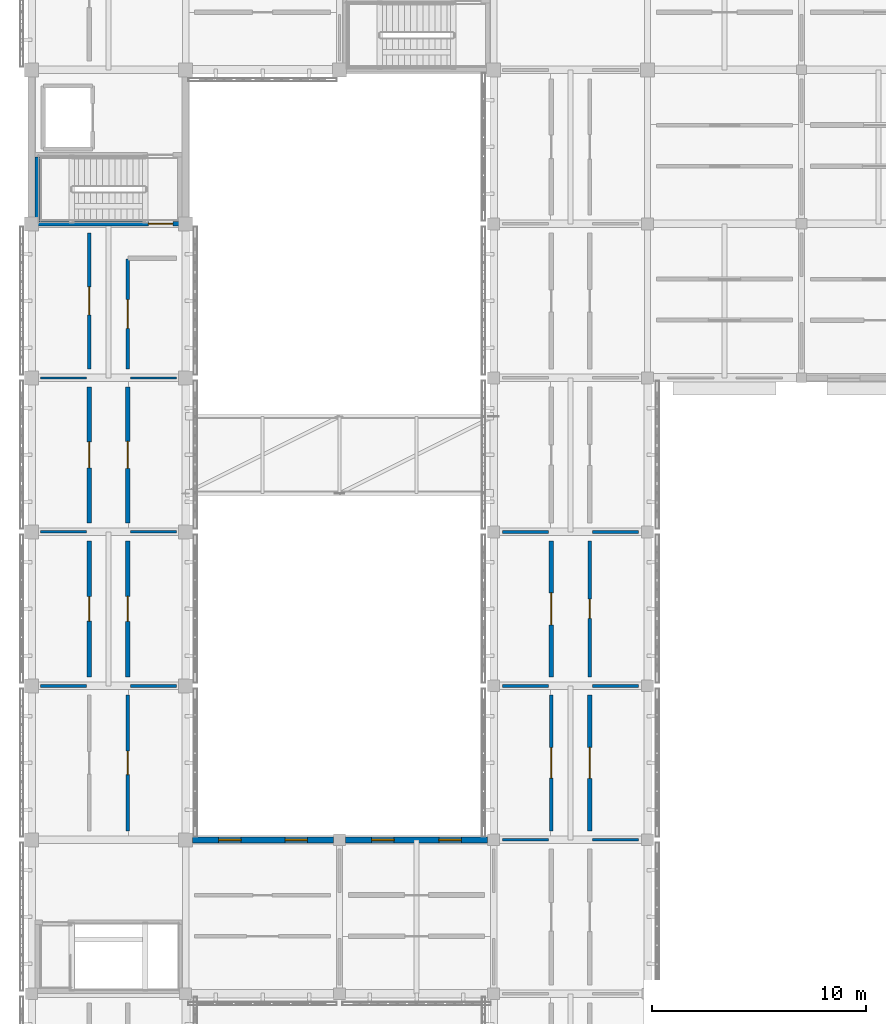
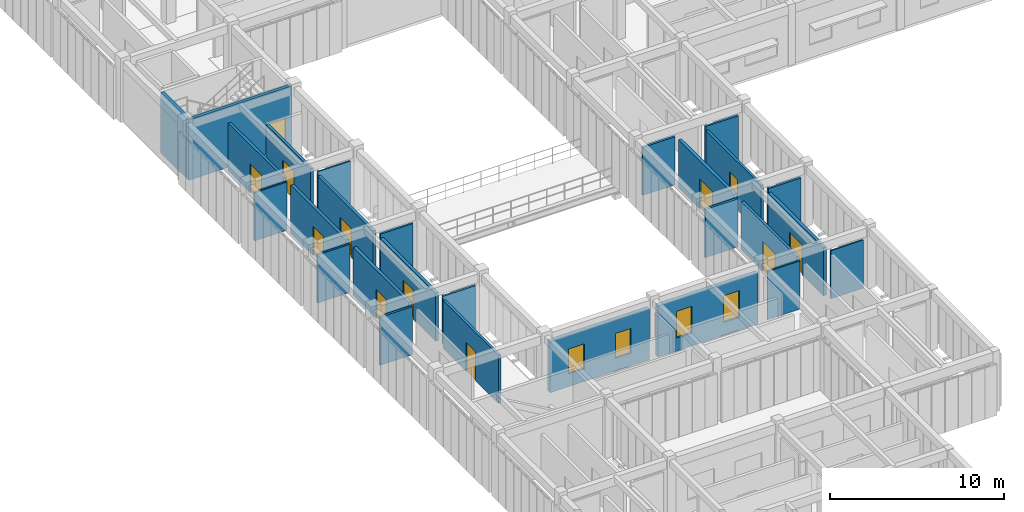
# One storey, part 71 of 91: 27 walls, 12 doors, 4 windows, 16 openings.
"""IFC4 building model written with IfcOpenShell, lengths in metres."""

from ifc_helpers import new_model, si_unit, direction, frame, frame_2d, origin, place, context, subcontext, project, spatial, rectangle, extrude, material, layer, layer_set, type_object, element, fill, save


model = new_model("IFC4")

# Units and contexts
model_context = context("Model", 3, precision=1e-05, world=origin(), true_north=direction((0.0, 1.0)))
body_context = subcontext(model_context, "Body", "Model", "MODEL_VIEW")
ifc_project = project(units=[si_unit("LENGTHUNIT", "METRE"), si_unit("AREAUNIT", "SQUARE_METRE"), si_unit("VOLUMEUNIT", "CUBIC_METRE"), si_unit("PLANEANGLEUNIT", "RADIAN"), si_unit("MASSUNIT", "GRAM", prefix="KILO")], contexts=[model_context])

# Site, building, storey
site_placement = place(None, origin())
site = spatial("IfcSite", under=ifc_project, at=site_placement, CompositionType="ELEMENT")
building_placement = place(site_placement, origin())
building = spatial("IfcBuilding", under=site, at=building_placement, Name="Aldebral Square Health Centre", CompositionType="ELEMENT")
storey_placement = place(building_placement, frame((0.0, 0.0, 9.0)))
storey = spatial("IfcBuildingStorey", under=building, at=storey_placement, Name="L02", CompositionType="ELEMENT", Elevation=9.0)

# Wall, openings, windows
ifc_material_1 = material(Name="Ochre mineral-rendered concrete C35/45 court wall", Category="concrete")
ifc_layer_1 = layer(ifc_material_1, 0.280029296875, Name="Ochre mineral-rendered concrete C35/45 court wall", Category="concrete")
ifc_layer_set_1 = layer_set([ifc_layer_1], Name="Ochre mineral-rendered concrete C35/45 court wall")
wall_type_1 = type_object("IfcWallType", Name="EW-OCH-280", PredefinedType="STANDARD", material=ifc_layer_set_1)
wall_1_placement = place(storey_placement, frame((14.125, 64.800048828125, 0.0), z_axis=(0.0, 0.0, 1.0), x_axis=(-1.0, 0.0, 0.0)))
wall_1 = element("IfcWall", 1, at=wall_1_placement, inside=storey, type_object=wall_type_1, Name="L02 V4 exterior wall L02-V4-01-08-N", PredefinedType="STANDARD", context=body_context, shape_type="SweptSolid", body=[
    extrude(rectangle(XDim=6.60009765625, YDim=0.280029296875, at=frame_2d((3.300048828125, 0.0))), origin(), (0.0, 0.0, 1.0), 3.590087890625),
])
opening_1_placement = place(wall_1_placement, frame((1.22509765625, 0.0, 0.89990234375)))
opening_1 = element("IfcOpeningElement", 2, at=opening_1_placement, cuts=wall_1, Name="Opening W38", PredefinedType="OPENING", context=body_context, shape_type="SweptSolid", body=[
    extrude(rectangle(XDim=1.050048828125, YDim=1.75, at=frame_2d((0.52490234375, 0.875))), frame((0.0, 0.14990234375, 0.0), z_axis=(0.0, -1.0, 0.0), x_axis=(1.0, 0.0, 0.0)), (0.0, 0.0, 1.0), 0.300048828125),
])
opening_2_placement = place(wall_1_placement, frame((4.324951171875, 0.0, 0.89990234375)))
opening_2 = element("IfcOpeningElement", 3, at=opening_2_placement, cuts=wall_1, Name="Opening W38", PredefinedType="OPENING", context=body_context, shape_type="SweptSolid", body=[
    extrude(rectangle(XDim=1.050048828125, YDim=1.75, at=frame_2d((0.52490234375, 0.875))), frame((0.0, 0.14990234375, 0.0), z_axis=(0.0, -1.0, 0.0), x_axis=(1.0, 0.0, 0.0)), (0.0, 0.0, 1.0), 0.300048828125),
])
ifc_material_2 = material(Name="Thermally broken aluminium and low-E glass", Category="aluminium")
window_type_1 = type_object("IfcWindowType", Name="WIN-W38", PartitioningType="SINGLE_PANEL", PredefinedType="WINDOW", material=ifc_material_2)
window_1_placement = place(opening_1_placement, origin())
window_1 = element("IfcWindow", 4, at=window_1_placement, inside=storey, type_object=window_type_1, Name="L02 clinical window L02-V4-01-08-N.1", OverallHeight=1.75, OverallWidth=1.050048828125, PartitioningType="SINGLE_PANEL", PredefinedType="WINDOW", context=body_context, shape_type="SweptSolid", body=[
    extrude(rectangle(XDim=1.050048828125, YDim=1.75, at=frame_2d((0.52490234375, 0.875))), frame((0.0, 0.030029296875, 0.0), z_axis=(0.0, -1.0, 0.0), x_axis=(1.0, 0.0, 0.0)), (0.0, 0.0, 1.0), 0.06005859375),
])
fill(opening_1, window_1)
window_2_placement = place(opening_2_placement, origin())
window_2 = element("IfcWindow", 5, at=window_2_placement, inside=storey, type_object=window_type_1, Name="L02 clinical window L02-V4-01-08-N.2", OverallHeight=1.75, OverallWidth=1.050048828125, PartitioningType="SINGLE_PANEL", PredefinedType="WINDOW", context=body_context, shape_type="SweptSolid", body=[
    extrude(rectangle(XDim=1.050048828125, YDim=1.75, at=frame_2d((0.52490234375, 0.875))), frame((0.0, 0.030029296875, 0.0), z_axis=(0.0, -1.0, 0.0), x_axis=(1.0, 0.0, 0.0)), (0.0, 0.0, 1.0), 0.06005859375),
])
fill(opening_2, window_2)

wall_2_placement = place(storey_placement, frame((21.324951171875, 64.800048828125, 0.0), z_axis=(0.0, 0.0, 1.0), x_axis=(-1.0, 0.0, 0.0)))
wall_2 = element("IfcWall", 6, at=wall_2_placement, inside=storey, type_object=wall_type_1, Name="L02 V4 exterior wall L02-V4-02-08-N", PredefinedType="STANDARD", context=body_context, shape_type="SweptSolid", body=[
    extrude(rectangle(XDim=6.64990234375, YDim=0.280029296875, at=frame_2d((3.324951171875, 0.0))), origin(), (0.0, 0.0, 1.0), 3.590087890625),
])
opening_3_placement = place(wall_2_placement, frame((1.22509765625, 0.0, 0.89990234375)))
opening_3 = element("IfcOpeningElement", 7, at=opening_3_placement, cuts=wall_2, Name="Opening W47", PredefinedType="OPENING", context=body_context, shape_type="SweptSolid", body=[
    extrude(rectangle(XDim=1.050048828125, YDim=1.8798828125, at=frame_2d((0.52490234375, 0.93994140625))), frame((0.0, 0.14990234375, 0.0), z_axis=(0.0, -1.0, 0.0), x_axis=(1.0, 0.0, 0.0)), (0.0, 0.0, 1.0), 0.300048828125),
])
opening_4_placement = place(wall_2_placement, frame((4.375, 0.0, 0.89990234375)))
opening_4 = element("IfcOpeningElement", 8, at=opening_4_placement, cuts=wall_2, Name="Opening W47", PredefinedType="OPENING", context=body_context, shape_type="SweptSolid", body=[
    extrude(rectangle(XDim=1.050048828125, YDim=1.8798828125, at=frame_2d((0.52490234375, 0.93994140625))), frame((0.0, 0.14990234375, 0.0), z_axis=(0.0, -1.0, 0.0), x_axis=(1.0, 0.0, 0.0)), (0.0, 0.0, 1.0), 0.300048828125),
])
window_type_2 = type_object("IfcWindowType", Name="WIN-W47", PartitioningType="SINGLE_PANEL", PredefinedType="WINDOW", material=ifc_material_2)
window_3_placement = place(opening_3_placement, origin())
window_3 = element("IfcWindow", 9, at=window_3_placement, inside=storey, type_object=window_type_2, Name="L02 clinical window L02-V4-02-08-N.1", OverallHeight=1.8798828125, OverallWidth=1.050048828125, PartitioningType="SINGLE_PANEL", PredefinedType="WINDOW", context=body_context, shape_type="SweptSolid", body=[
    extrude(rectangle(XDim=1.050048828125, YDim=1.8798828125, at=frame_2d((0.52490234375, 0.93994140625))), frame((0.0, 0.030029296875, 0.0), z_axis=(0.0, -1.0, 0.0), x_axis=(1.0, 0.0, 0.0)), (0.0, 0.0, 1.0), 0.06005859375),
])
fill(opening_3, window_3)
window_4_placement = place(opening_4_placement, origin())
window_4 = element("IfcWindow", 10, at=window_4_placement, inside=storey, type_object=window_type_2, Name="L02 clinical window L02-V4-02-08-N.2", OverallHeight=1.8798828125, OverallWidth=1.050048828125, PartitioningType="SINGLE_PANEL", PredefinedType="WINDOW", context=body_context, shape_type="SweptSolid", body=[
    extrude(rectangle(XDim=1.050048828125, YDim=1.8798828125, at=frame_2d((0.52490234375, 0.93994140625))), frame((0.0, 0.030029296875, 0.0), z_axis=(0.0, -1.0, 0.0), x_axis=(1.0, 0.0, 0.0)), (0.0, 0.0, 1.0), 0.06005859375),
])
fill(opening_4, window_4)

# Wall, opening, door
ifc_material_3 = material(Name="Concrete C35/45 compartment wall", Category="concrete")
ifc_layer_2 = layer(ifc_material_3, 0.199951171875, Name="Concrete C35/45 compartment wall", Category="concrete")
ifc_layer_set_2 = layer_set([ifc_layer_2], Name="Concrete C35/45 compartment wall")
wall_type_2 = type_object("IfcWallType", Name="IW-CMP-200", PredefinedType="SOLIDWALL", material=ifc_layer_set_2)
wall_3_placement = place(storey_placement, frame((2.699951171875, 79.6201171875, 0.0), z_axis=(0.0, 0.0, 1.0), x_axis=(0.0, 1.0, 0.0)))
wall_3 = element("IfcWall", 11, at=wall_3_placement, inside=storey, type_object=wall_type_2, Name="L02 Paediatric Examination Room 1.12W corridor wall", PredefinedType="SOLIDWALL", context=body_context, shape_type="SweptSolid", body=[
    extrude(rectangle(XDim=6.35986328125, YDim=0.199951171875, at=frame_2d((3.179931640625, 0.0))), origin(), (0.0, 0.0, 1.0), 3.3798828125),
])
opening_5_placement = place(wall_3_placement, frame((2.570068359375, 0.0, 0.0)))
opening_5 = element("IfcOpeningElement", 12, at=opening_5_placement, cuts=wall_3, Name="Opening D-0437", PredefinedType="OPENING", context=body_context, shape_type="SweptSolid", body=[
    extrude(rectangle(XDim=1.219970703125, YDim=2.0400390625, at=frame_2d((0.60986328125, 1.02001953125))), frame((0.0, 0.10986328125, 0.0), z_axis=(0.0, -1.0, 0.0), x_axis=(1.0, 0.0, 0.0)), (0.0, 0.0, 1.0), 0.219970703125),
])
ifc_material_4 = material(Name="Clinical suite fire door")
door_type_1 = type_object("IfcDoorType", Name="ID-EXD-08", OperationType="NOTDEFINED", PredefinedType="DOOR", material=ifc_material_4)
door_1_placement = place(opening_5_placement, origin())
door_1 = element("IfcDoor", 13, at=door_1_placement, inside=storey, type_object=door_type_1, Name="L02 Paediatric Examination Room 1.12W door", OperationType="SINGLE_SWING_RIGHT", OverallHeight=2.0400390625, OverallWidth=1.219970703125, PredefinedType="DOOR", context=body_context, shape_type="SweptSolid", body=[
    extrude(rectangle(XDim=1.219970703125, YDim=2.0400390625, at=frame_2d((0.60986328125, 1.02001953125))), frame((0.0, 0.02490234375, 0.0), z_axis=(0.0, -1.0, 0.0), x_axis=(1.0, 0.0, 0.0)), (0.0, 0.0, 1.0), 0.050048828125),
])
fill(opening_5, door_1)

wall_4_placement = place(storey_placement, frame((4.5, 79.6201171875, 0.0), z_axis=(0.0, 0.0, 1.0), x_axis=(0.0, 1.0, 0.0)))
wall_4 = element("IfcWall", 14, at=wall_4_placement, inside=storey, type_object=wall_type_2, Name="L02 Adolescent Medicine Clinic 1.12E corridor wall", PredefinedType="SOLIDWALL", context=body_context, shape_type="SweptSolid", body=[
    extrude(rectangle(XDim=6.35986328125, YDim=0.199951171875, at=frame_2d((3.179931640625, 0.0))), origin(), (0.0, 0.0, 1.0), 3.3798828125),
])
opening_6_placement = place(wall_4_placement, frame((2.550048828125, 0.0, 0.0)))
opening_6 = element("IfcOpeningElement", 15, at=opening_6_placement, cuts=wall_4, Name="Opening D-0438", PredefinedType="OPENING", context=body_context, shape_type="SweptSolid", body=[
    extrude(rectangle(XDim=1.260009765625, YDim=2.0400390625, at=frame_2d((0.6298828125, 1.02001953125))), frame((0.0, 0.10986328125, 0.0), z_axis=(0.0, -1.0, 0.0), x_axis=(1.0, 0.0, 0.0)), (0.0, 0.0, 1.0), 0.219970703125),
])
door_type_2 = type_object("IfcDoorType", Name="ID-EXD-09", OperationType="NOTDEFINED", PredefinedType="DOOR", material=ifc_material_4)
door_2_placement = place(opening_6_placement, origin())
door_2 = element("IfcDoor", 16, at=door_2_placement, inside=storey, type_object=door_type_2, Name="L02 Adolescent Medicine Clinic 1.12E door", OperationType="SINGLE_SWING_LEFT", OverallHeight=2.0400390625, OverallWidth=1.260009765625, PredefinedType="DOOR", context=body_context, shape_type="SweptSolid", body=[
    extrude(rectangle(XDim=1.260009765625, YDim=2.0400390625, at=frame_2d((0.6298828125, 1.02001953125))), frame((0.0, 0.02490234375, 0.0), z_axis=(0.0, -1.0, 0.0), x_axis=(1.0, 0.0, 0.0)), (0.0, 0.0, 1.0), 0.050048828125),
])
fill(opening_6, door_2)

ifc_material_5 = material(Name="Fire-rated acoustic gypsum partition")
ifc_layer_3 = layer(ifc_material_5, 0.1650390625, Name="Fire-rated acoustic gypsum partition")
ifc_layer_set_3 = layer_set([ifc_layer_3], Name="Fire-rated acoustic gypsum partition")
wall_type_3 = type_object("IfcWallType", Name="IW-COR-165", PredefinedType="PARTITIONING", material=ifc_layer_set_3)
wall_5_placement = place(storey_placement, frame((4.5, 65.219970703125, 0.0), z_axis=(0.0, 0.0, 1.0), x_axis=(0.0, 1.0, 0.0)))
wall_5 = element("IfcWall", 17, at=wall_5_placement, inside=storey, type_object=wall_type_3, Name="L02 General Consulting Room 1.10E corridor wall", PredefinedType="PARTITIONING", context=body_context, shape_type="SweptSolid", body=[
    extrude(rectangle(XDim=6.360107421875, YDim=0.1650390625, at=frame_2d((3.18017578125, 0.0))), origin(), (0.0, 0.0, 1.0), 3.3798828125),
])
opening_7_placement = place(wall_5_placement, frame((2.6298828125, 0.0, 0.0)))
opening_7 = element("IfcOpeningElement", 18, at=opening_7_placement, cuts=wall_5, Name="Opening D-0434", PredefinedType="OPENING", context=body_context, shape_type="SweptSolid", body=[
    extrude(rectangle(XDim=1.10009765625, YDim=2.0400390625, at=frame_2d((0.550048828125, 1.02001953125))), frame((0.0, 0.092529296875, 0.0), z_axis=(0.0, -1.0, 0.0), x_axis=(1.0, 0.0, 0.0)), (0.0, 0.0, 1.0), 0.18505859375),
])
door_type_3 = type_object("IfcDoorType", Name="ID-EXD-05", OperationType="NOTDEFINED", PredefinedType="DOOR", material=ifc_material_4)
door_3_placement = place(opening_7_placement, origin())
door_3 = element("IfcDoor", 19, at=door_3_placement, inside=storey, type_object=door_type_3, Name="L02 General Consulting Room 1.10E door", OperationType="SINGLE_SWING_LEFT", OverallHeight=2.0400390625, OverallWidth=1.10009765625, PredefinedType="DOOR", context=body_context, shape_type="SweptSolid", body=[
    extrude(rectangle(XDim=1.10009765625, YDim=2.0400390625, at=frame_2d((0.550048828125, 1.02001953125))), frame((0.0, 0.02490234375, 0.0), z_axis=(0.0, -1.0, 0.0), x_axis=(1.0, 0.0, 0.0)), (0.0, 0.0, 1.0), 0.050048828125),
])
fill(opening_7, door_3)

wall_6_placement = place(storey_placement, frame((26.10009765625, 72.419921875, 0.0), z_axis=(0.0, 0.0, 1.0), x_axis=(0.0, 1.0, 0.0)))
wall_6 = element("IfcWall", 20, at=wall_6_placement, inside=storey, type_object=wall_type_3, Name="L02 Paediatric Examination Room 4.11E corridor wall", PredefinedType="PARTITIONING", context=body_context, shape_type="SweptSolid", body=[
    extrude(rectangle(XDim=6.360107421875, YDim=0.1650390625, at=frame_2d((3.18017578125, 0.0))), origin(), (0.0, 0.0, 1.0), 3.3798828125),
])
opening_8_placement = place(wall_6_placement, frame((2.72998046875, 0.0, 0.0)))
opening_8 = element("IfcOpeningElement", 21, at=opening_8_placement, cuts=wall_6, Name="Opening D-0461", PredefinedType="OPENING", context=body_context, shape_type="SweptSolid", body=[
    extrude(rectangle(XDim=0.89990234375, YDim=2.139892578125, at=frame_2d((0.449951171875, 1.06982421875))), frame((0.0, 0.092529296875, 0.0), z_axis=(0.0, -1.0, 0.0), x_axis=(1.0, 0.0, 0.0)), (0.0, 0.0, 1.0), 0.18505859375),
])
door_type_4 = type_object("IfcDoorType", Name="ID-EXD-32", OperationType="NOTDEFINED", PredefinedType="DOOR", material=ifc_material_4)
door_4_placement = place(opening_8_placement, origin())
door_4 = element("IfcDoor", 22, at=door_4_placement, inside=storey, type_object=door_type_4, Name="L02 Paediatric Examination Room 4.11E door", OperationType="SINGLE_SWING_RIGHT", OverallHeight=2.139892578125, OverallWidth=0.89990234375, PredefinedType="DOOR", context=body_context, shape_type="SweptSolid", body=[
    extrude(rectangle(XDim=0.89990234375, YDim=2.139892578125, at=frame_2d((0.449951171875, 1.06982421875))), frame((0.0, 0.02490234375, 0.0), z_axis=(0.0, -1.0, 0.0), x_axis=(1.0, 0.0, 0.0)), (0.0, 0.0, 1.0), 0.050048828125),
])
fill(opening_8, door_4)

ifc_layer_4 = layer(ifc_material_5, 0.179931640625, Name="Fire-rated acoustic gypsum partition")
ifc_layer_set_4 = layer_set([ifc_layer_4], Name="Fire-rated acoustic gypsum partition")
wall_type_4 = type_object("IfcWallType", Name="IW-COR-180", PredefinedType="PARTITIONING", material=ifc_layer_set_4)
wall_7_placement = place(storey_placement, frame((2.699951171875, 86.820068359375, 0.0), z_axis=(0.0, 0.0, 1.0), x_axis=(0.0, 1.0, 0.0)))
wall_7 = element("IfcWall", 23, at=wall_7_placement, inside=storey, type_object=wall_type_4, Name="L02 Immunisation Suite 1.13W corridor wall", PredefinedType="PARTITIONING", context=body_context, shape_type="SweptSolid", body=[
    extrude(rectangle(XDim=6.35986328125, YDim=0.179931640625, at=frame_2d((3.179931640625, 0.0))), origin(), (0.0, 0.0, 1.0), 3.3798828125),
])
opening_9_placement = place(wall_7_placement, frame((2.530029296875, 0.0, 0.0)))
opening_9 = element("IfcOpeningElement", 24, at=opening_9_placement, cuts=wall_7, Name="Opening D-0439", PredefinedType="OPENING", context=body_context, shape_type="SweptSolid", body=[
    extrude(rectangle(XDim=1.300048828125, YDim=2.0400390625, at=frame_2d((0.64990234375, 1.02001953125))), frame((0.0, 0.10009765625, 0.0), z_axis=(0.0, -1.0, 0.0), x_axis=(1.0, 0.0, 0.0)), (0.0, 0.0, 1.0), 0.199951171875),
])
door_type_5 = type_object("IfcDoorType", Name="ID-EXD-10", OperationType="NOTDEFINED", PredefinedType="DOOR", material=ifc_material_4)
door_5_placement = place(opening_9_placement, origin())
door_5 = element("IfcDoor", 25, at=door_5_placement, inside=storey, type_object=door_type_5, Name="L02 Immunisation Suite 1.13W door", OperationType="SINGLE_SWING_RIGHT", OverallHeight=2.0400390625, OverallWidth=1.300048828125, PredefinedType="DOOR", context=body_context, shape_type="SweptSolid", body=[
    extrude(rectangle(XDim=1.300048828125, YDim=2.0400390625, at=frame_2d((0.64990234375, 1.02001953125))), frame((0.0, 0.02490234375, 0.0), z_axis=(0.0, -1.0, 0.0), x_axis=(1.0, 0.0, 0.0)), (0.0, 0.0, 1.0), 0.050048828125),
])
fill(opening_9, door_5)

wall_8_placement = place(storey_placement, frame((4.5, 86.820068359375, 0.0), z_axis=(0.0, 0.0, 1.0), x_axis=(0.0, 1.0, 0.0)))
wall_8 = element("IfcWall", 26, at=wall_8_placement, inside=storey, type_object=wall_type_4, Name="L02 General Consulting Room 1.13E corridor wall", PredefinedType="PARTITIONING", context=body_context, shape_type="SweptSolid", body=[
    extrude(rectangle(XDim=5.1298828125, YDim=0.179931640625, at=frame_2d((2.56494140625, 0.0))), origin(), (0.0, 0.0, 1.0), 3.3798828125),
])
opening_10_placement = place(wall_8_placement, frame((1.89501953125, 0.0, 0.0)))
opening_10 = element("IfcOpeningElement", 27, at=opening_10_placement, cuts=wall_8, Name="Opening D-0440", PredefinedType="OPENING", context=body_context, shape_type="SweptSolid", body=[
    extrude(rectangle(XDim=1.340087890625, YDim=2.0400390625, at=frame_2d((0.669921875, 1.02001953125))), frame((0.0, 0.10009765625, 0.0), z_axis=(0.0, -1.0, 0.0), x_axis=(1.0, 0.0, 0.0)), (0.0, 0.0, 1.0), 0.199951171875),
])
door_type_6 = type_object("IfcDoorType", Name="ID-EXD-11", OperationType="NOTDEFINED", PredefinedType="DOOR", material=ifc_material_4)
door_6_placement = place(opening_10_placement, origin())
door_6 = element("IfcDoor", 28, at=door_6_placement, inside=storey, type_object=door_type_6, Name="L02 General Consulting Room 1.13E door", OperationType="SINGLE_SWING_LEFT", OverallHeight=2.0400390625, OverallWidth=1.340087890625, PredefinedType="DOOR", context=body_context, shape_type="SweptSolid", body=[
    extrude(rectangle(XDim=1.340087890625, YDim=2.0400390625, at=frame_2d((0.669921875, 1.02001953125))), frame((0.0, 0.02490234375, 0.0), z_axis=(0.0, -1.0, 0.0), x_axis=(1.0, 0.0, 0.0)), (0.0, 0.0, 1.0), 0.050048828125),
])
fill(opening_10, door_6)

wall_9_placement = place(storey_placement, frame((24.300048828125, 65.219970703125, 0.0), z_axis=(0.0, 0.0, 1.0), x_axis=(0.0, 1.0, 0.0)))
wall_9 = element("IfcWall", 29, at=wall_9_placement, inside=storey, type_object=wall_type_4, Name="L02 General Consulting Room 4.10W corridor wall", PredefinedType="PARTITIONING", context=body_context, shape_type="SweptSolid", body=[
    extrude(rectangle(XDim=6.360107421875, YDim=0.179931640625, at=frame_2d((3.18017578125, 0.0))), origin(), (0.0, 0.0, 1.0), 3.3798828125),
])
opening_11_placement = place(wall_9_placement, frame((2.469970703125, 0.0, 0.0)))
opening_11 = element("IfcOpeningElement", 30, at=opening_11_placement, cuts=wall_9, Name="Opening D-0458", PredefinedType="OPENING", context=body_context, shape_type="SweptSolid", body=[
    extrude(rectangle(XDim=1.419921875, YDim=2.090087890625, at=frame_2d((0.7099609375, 1.044921875))), frame((0.0, 0.10009765625, 0.0), z_axis=(0.0, -1.0, 0.0), x_axis=(1.0, 0.0, 0.0)), (0.0, 0.0, 1.0), 0.199951171875),
])
door_type_7 = type_object("IfcDoorType", Name="ID-EXD-29", OperationType="NOTDEFINED", PredefinedType="DOOR", material=ifc_material_4)
door_7_placement = place(opening_11_placement, origin())
door_7 = element("IfcDoor", 31, at=door_7_placement, inside=storey, type_object=door_type_7, Name="L02 General Consulting Room 4.10W door", OperationType="SINGLE_SWING_LEFT", OverallHeight=2.090087890625, OverallWidth=1.419921875, PredefinedType="DOOR", context=body_context, shape_type="SweptSolid", body=[
    extrude(rectangle(XDim=1.419921875, YDim=2.090087890625, at=frame_2d((0.7099609375, 1.044921875))), frame((0.0, 0.02490234375, 0.0), z_axis=(0.0, -1.0, 0.0), x_axis=(1.0, 0.0, 0.0)), (0.0, 0.0, 1.0), 0.050048828125),
])
fill(opening_11, door_7)

ifc_material_6 = material(Name="Concrete C40/50", Category="concrete")
ifc_layer_5 = layer(ifc_material_6, 0.219970703125, Name="Concrete C40/50", Category="concrete")
ifc_layer_set_5 = layer_set([ifc_layer_5], Name="Concrete C40/50")
wall_type_5 = type_object("IfcWallType", Name="IW-CORE-280", PredefinedType="SHEAR", material=ifc_layer_set_5)
wall_10_placement = place(storey_placement, frame((0.159912109375, 93.610107421875, 0.0), z_axis=(0.0, 0.0, 1.0), x_axis=(1.0, 0.0, 0.0)))
wall_10 = element("IfcWall", 32, at=wall_10_placement, inside=storey, type_object=wall_type_5, Name="L02 WC-C1 shaft wall S", PredefinedType="SHEAR", context=body_context, shape_type="SweptSolid", body=[
    extrude(rectangle(XDim=6.880126953125, YDim=0.219970703125, at=frame_2d((3.43994140625, 0.0))), origin(), (0.0, 0.0, 1.0), 4.239990234375),
])
opening_12_placement = place(wall_10_placement, frame((5.300048828125, 0.0, 0.0)))
opening_12 = element("IfcOpeningElement", 33, at=opening_12_placement, cuts=wall_10, Name="Opening D-0009", PredefinedType="OPENING", context=body_context, shape_type="SweptSolid", body=[
    extrude(rectangle(XDim=1.14990234375, YDim=2.14990234375, at=frame_2d((0.574951171875, 1.074951171875))), frame((0.0, 0.1201171875, 0.0), z_axis=(0.0, -1.0, 0.0), x_axis=(1.0, 0.0, 0.0)), (0.0, 0.0, 1.0), 0.239990234375),
])
ifc_material_7 = material(Name="Fire-rated steel lobby stair door", Category="steel")
door_type_8 = type_object("IfcDoorType", Name="ID-ST-115", OperationType="NOTDEFINED", PredefinedType="DOOR", material=ifc_material_7)
door_8_placement = place(opening_12_placement, origin())
door_8 = element("IfcDoor", 34, at=door_8_placement, inside=storey, type_object=door_type_8, Name="L02 ST-01 south lobby fire door", OperationType="SINGLE_SWING_LEFT", OverallHeight=2.14990234375, OverallWidth=1.14990234375, PredefinedType="DOOR", context=body_context, shape_type="SweptSolid", body=[
    extrude(rectangle(XDim=1.14990234375, YDim=2.14990234375, at=frame_2d((0.574951171875, 1.074951171875))), frame((0.0, 0.02490234375, 0.0), z_axis=(0.0, -1.0, 0.0), x_axis=(1.0, 0.0, 0.0)), (0.0, 0.0, 1.0), 0.050048828125),
])
fill(opening_12, door_8)

# Wall
wall_11_placement = place(storey_placement, frame((0.27001953125, 93.719970703125, 0.0), z_axis=(0.0, 0.0, 1.0), x_axis=(0.0, 1.0, 0.0)))
element("IfcWall", 35, at=wall_11_placement, inside=storey, type_object=wall_type_5, Name="L02 WC-C1 shaft wall W", PredefinedType="SHEAR", context=body_context, shape_type="SweptSolid", body=[
    extrude(rectangle(XDim=3.0, YDim=0.219970703125, at=frame_2d((1.5, 0.0))), origin(), (0.0, 0.0, 1.0), 4.239990234375),
])

# Wall, opening, door
ifc_material_8 = material(Name="Moisture-resistant sanitary chase wall")
ifc_layer_6 = layer(ifc_material_8, 0.2099609375, Name="Moisture-resistant sanitary chase wall")
ifc_layer_set_6 = layer_set([ifc_layer_6], Name="Moisture-resistant sanitary chase wall")
wall_type_6 = type_object("IfcWallType", Name="IW-PLB-210", PredefinedType="PLUMBINGWALL", material=ifc_layer_set_6)
wall_12_placement = place(storey_placement, frame((2.699951171875, 72.419921875, 0.0), z_axis=(0.0, 0.0, 1.0), x_axis=(0.0, 1.0, 0.0)))
wall_12 = element("IfcWall", 36, at=wall_12_placement, inside=storey, type_object=wall_type_6, Name="L02 Accessible WC 1.11W corridor wall", PredefinedType="PLUMBINGWALL", context=body_context, shape_type="SweptSolid", body=[
    extrude(rectangle(XDim=6.360107421875, YDim=0.2099609375, at=frame_2d((3.18017578125, 0.0))), origin(), (0.0, 0.0, 1.0), 3.3798828125),
])
opening_13_placement = place(wall_12_placement, frame((2.610107421875, 0.0, 0.0)))
opening_13 = element("IfcOpeningElement", 37, at=opening_13_placement, cuts=wall_12, Name="Opening D-0435", PredefinedType="OPENING", context=body_context, shape_type="SweptSolid", body=[
    extrude(rectangle(XDim=1.139892578125, YDim=2.0400390625, at=frame_2d((0.56982421875, 1.02001953125))), frame((0.0, 0.114990234375, 0.0), z_axis=(0.0, -1.0, 0.0), x_axis=(1.0, 0.0, 0.0)), (0.0, 0.0, 1.0), 0.22998046875),
])
door_type_9 = type_object("IfcDoorType", Name="ID-EXD-06", OperationType="NOTDEFINED", PredefinedType="DOOR", material=ifc_material_4)
door_9_placement = place(opening_13_placement, origin())
door_9 = element("IfcDoor", 38, at=door_9_placement, inside=storey, type_object=door_type_9, Name="L02 Accessible WC 1.11W door", OperationType="SINGLE_SWING_RIGHT", OverallHeight=2.0400390625, OverallWidth=1.139892578125, PredefinedType="DOOR", context=body_context, shape_type="SweptSolid", body=[
    extrude(rectangle(XDim=1.139892578125, YDim=2.0400390625, at=frame_2d((0.56982421875, 1.02001953125))), frame((0.0, 0.02490234375, 0.0), z_axis=(0.0, -1.0, 0.0), x_axis=(1.0, 0.0, 0.0)), (0.0, 0.0, 1.0), 0.050048828125),
])
fill(opening_13, door_9)

wall_13_placement = place(storey_placement, frame((4.5, 72.419921875, 0.0), z_axis=(0.0, 0.0, 1.0), x_axis=(0.0, 1.0, 0.0)))
wall_13 = element("IfcWall", 39, at=wall_13_placement, inside=storey, type_object=wall_type_6, Name="L02 Family Toilet 1.11E corridor wall", PredefinedType="PLUMBINGWALL", context=body_context, shape_type="SweptSolid", body=[
    extrude(rectangle(XDim=6.360107421875, YDim=0.2099609375, at=frame_2d((3.18017578125, 0.0))), origin(), (0.0, 0.0, 1.0), 3.3798828125),
])
opening_14_placement = place(wall_13_placement, frame((2.590087890625, 0.0, 0.0)))
opening_14 = element("IfcOpeningElement", 40, at=opening_14_placement, cuts=wall_13, Name="Opening D-0436", PredefinedType="OPENING", context=body_context, shape_type="SweptSolid", body=[
    extrude(rectangle(XDim=1.179931640625, YDim=2.0400390625, at=frame_2d((0.58984375, 1.02001953125))), frame((0.0, 0.114990234375, 0.0), z_axis=(0.0, -1.0, 0.0), x_axis=(1.0, 0.0, 0.0)), (0.0, 0.0, 1.0), 0.22998046875),
])
door_type_10 = type_object("IfcDoorType", Name="ID-EXD-07", OperationType="NOTDEFINED", PredefinedType="DOOR", material=ifc_material_4)
door_10_placement = place(opening_14_placement, origin())
door_10 = element("IfcDoor", 41, at=door_10_placement, inside=storey, type_object=door_type_10, Name="L02 Family Toilet 1.11E door", OperationType="SINGLE_SWING_LEFT", OverallHeight=2.0400390625, OverallWidth=1.179931640625, PredefinedType="DOOR", context=body_context, shape_type="SweptSolid", body=[
    extrude(rectangle(XDim=1.179931640625, YDim=2.0400390625, at=frame_2d((0.58984375, 1.02001953125))), frame((0.0, 0.02490234375, 0.0), z_axis=(0.0, -1.0, 0.0), x_axis=(1.0, 0.0, 0.0)), (0.0, 0.0, 1.0), 0.050048828125),
])
fill(opening_14, door_10)

wall_14_placement = place(storey_placement, frame((26.10009765625, 65.219970703125, 0.0), z_axis=(0.0, 0.0, 1.0), x_axis=(0.0, 1.0, 0.0)))
wall_14 = element("IfcWall", 42, at=wall_14_placement, inside=storey, type_object=wall_type_6, Name="L02 Accessible WC 4.10E corridor wall", PredefinedType="PLUMBINGWALL", context=body_context, shape_type="SweptSolid", body=[
    extrude(rectangle(XDim=6.360107421875, YDim=0.2099609375, at=frame_2d((3.18017578125, 0.0))), origin(), (0.0, 0.0, 1.0), 3.3798828125),
])
opening_15_placement = place(wall_14_placement, frame((2.449951171875, 0.0, 0.0)))
opening_15 = element("IfcOpeningElement", 43, at=opening_15_placement, cuts=wall_14, Name="Opening D-0459", PredefinedType="OPENING", context=body_context, shape_type="SweptSolid", body=[
    extrude(rectangle(XDim=1.4599609375, YDim=2.090087890625, at=frame_2d((0.72998046875, 1.044921875))), frame((0.0, 0.114990234375, 0.0), z_axis=(0.0, -1.0, 0.0), x_axis=(1.0, 0.0, 0.0)), (0.0, 0.0, 1.0), 0.22998046875),
])
door_type_11 = type_object("IfcDoorType", Name="ID-EXD-30", OperationType="NOTDEFINED", PredefinedType="DOOR", material=ifc_material_4)
door_11_placement = place(opening_15_placement, origin())
door_11 = element("IfcDoor", 44, at=door_11_placement, inside=storey, type_object=door_type_11, Name="L02 Accessible WC 4.10E door", OperationType="SINGLE_SWING_RIGHT", OverallHeight=2.090087890625, OverallWidth=1.4599609375, PredefinedType="DOOR", context=body_context, shape_type="SweptSolid", body=[
    extrude(rectangle(XDim=1.4599609375, YDim=2.090087890625, at=frame_2d((0.72998046875, 1.044921875))), frame((0.0, 0.02490234375, 0.0), z_axis=(0.0, -1.0, 0.0), x_axis=(1.0, 0.0, 0.0)), (0.0, 0.0, 1.0), 0.050048828125),
])
fill(opening_15, door_11)

wall_15_placement = place(storey_placement, frame((24.300048828125, 72.419921875, 0.0), z_axis=(0.0, 0.0, 1.0), x_axis=(0.0, 1.0, 0.0)))
wall_15 = element("IfcWall", 45, at=wall_15_placement, inside=storey, type_object=wall_type_6, Name="L02 Family Toilet 4.11W corridor wall", PredefinedType="PLUMBINGWALL", context=body_context, shape_type="SweptSolid", body=[
    extrude(rectangle(XDim=6.360107421875, YDim=0.2099609375, at=frame_2d((3.18017578125, 0.0))), origin(), (0.0, 0.0, 1.0), 3.3798828125),
])
opening_16_placement = place(wall_15_placement, frame((2.429931640625, 0.0, 0.0)))
opening_16 = element("IfcOpeningElement", 46, at=opening_16_placement, cuts=wall_15, Name="Opening D-0460", PredefinedType="OPENING", context=body_context, shape_type="SweptSolid", body=[
    extrude(rectangle(XDim=1.5, YDim=2.090087890625, at=frame_2d((0.75, 1.044921875))), frame((0.0, 0.114990234375, 0.0), z_axis=(0.0, -1.0, 0.0), x_axis=(1.0, 0.0, 0.0)), (0.0, 0.0, 1.0), 0.22998046875),
])
door_type_12 = type_object("IfcDoorType", Name="ID-EXD-31", OperationType="NOTDEFINED", PredefinedType="DOOR", material=ifc_material_4)
door_12_placement = place(opening_16_placement, origin())
door_12 = element("IfcDoor", 47, at=door_12_placement, inside=storey, type_object=door_type_12, Name="L02 Family Toilet 4.11W door", OperationType="SINGLE_SWING_LEFT", OverallHeight=2.090087890625, OverallWidth=1.5, PredefinedType="DOOR", context=body_context, shape_type="SweptSolid", body=[
    extrude(rectangle(XDim=1.5, YDim=2.090087890625, at=frame_2d((0.75, 1.044921875))), frame((0.0, 0.02490234375, 0.0), z_axis=(0.0, -1.0, 0.0), x_axis=(1.0, 0.0, 0.0)), (0.0, 0.0, 1.0), 0.050048828125),
])
fill(opening_16, door_12)

# Walls
ifc_material_9 = material(Name="Lightweight clinical partition")
ifc_layer_7 = layer(ifc_material_9, 0.10498046875, Name="Lightweight clinical partition")
ifc_layer_set_7 = layer_set([ifc_layer_7], Name="Lightweight clinical partition")
wall_type_7 = type_object("IfcWallType", Name="IW-PRT-105", PredefinedType="PARTITIONING", material=ifc_layer_set_7)
wall_16_placement = place(storey_placement, frame((0.419921875, 86.39990234375, 0.0), z_axis=(0.0, 0.0, 1.0), x_axis=(1.0, 0.0, 0.0)))
element("IfcWall", 48, at=wall_16_placement, inside=storey, type_object=wall_type_7, Name="L02 Paediatric Examination Room 1.12W demising partition", PredefinedType="PARTITIONING", context=body_context, shape_type="SweptSolid", body=[
    extrude(rectangle(XDim=2.16015625, YDim=0.10498046875, at=frame_2d((1.080078125, 0.0))), origin(), (0.0, 0.0, 1.0), 3.3798828125),
])
for number, where, z_axis, x_axis, name in (
    (49, (4.6201171875, 86.39990234375, 0.0), (0.0, 0.0, 1.0), (1.0, 0.0, 0.0), "L02 Adolescent Medicine Clinic 1.12E demising partition"),
    (50, (22.02001953125, 64.800048828125, 0.0), (0.0, 0.0, 1.0), (1.0, 0.0, 0.0), "L02 Adolescent Medicine Clinic 4.9W demising partition"),
    (51, (26.219970703125, 64.800048828125, 0.0), (0.0, 0.0, 1.0), (1.0, 0.0, 0.0), "L02 Immunisation Suite 4.9E demising partition"),
):
    element("IfcWall", number, at=place(storey_placement, frame(where, z_axis=z_axis, x_axis=x_axis)), inside=storey, type_object=wall_type_7, Name=name, PredefinedType="PARTITIONING", context=body_context, shape_type="SweptSolid", body=[
        extrude(rectangle(XDim=2.159912109375, YDim=0.10498046875, at=frame_2d((1.080078125, 0.0))), origin(), (0.0, 0.0, 1.0), 3.3798828125),
    ])
ifc_material_10 = material(Name="Acoustic clinical gypsum partition")
ifc_layer_8 = layer(ifc_material_10, 0.1201171875, Name="Acoustic clinical gypsum partition")
ifc_layer_set_8 = layer_set([ifc_layer_8], Name="Acoustic clinical gypsum partition")
wall_type_8 = type_object("IfcWallType", Name="IW-PRT-120", PredefinedType="PARTITIONING", material=ifc_layer_set_8)
wall_17_placement = place(storey_placement, frame((0.419921875, 79.199951171875, 0.0), z_axis=(0.0, 0.0, 1.0), x_axis=(1.0, 0.0, 0.0)))
element("IfcWall", 52, at=wall_17_placement, inside=storey, type_object=wall_type_8, Name="L02 Accessible WC 1.11W demising partition", PredefinedType="PARTITIONING", context=body_context, shape_type="SweptSolid", body=[
    extrude(rectangle(XDim=2.16015625, YDim=0.1201171875, at=frame_2d((1.080078125, 0.0))), origin(), (0.0, 0.0, 1.0), 3.3798828125),
])
wall_18_placement = place(storey_placement, frame((4.6201171875, 79.199951171875, 0.0), z_axis=(0.0, 0.0, 1.0), x_axis=(1.0, 0.0, 0.0)))
element("IfcWall", 53, at=wall_18_placement, inside=storey, type_object=wall_type_8, Name="L02 Family Toilet 1.11E demising partition", PredefinedType="PARTITIONING", context=body_context, shape_type="SweptSolid", body=[
    extrude(rectangle(XDim=2.159912109375, YDim=0.1201171875, at=frame_2d((1.080078125, 0.0))), origin(), (0.0, 0.0, 1.0), 3.3798828125),
])
ifc_layer_9 = layer(ifc_material_10, 0.135009765625, Name="Acoustic clinical gypsum partition")
ifc_layer_set_9 = layer_set([ifc_layer_9], Name="Acoustic clinical gypsum partition")
wall_type_9 = type_object("IfcWallType", Name="IW-PRT-135", PredefinedType="PARTITIONING", material=ifc_layer_set_9)
wall_19_placement = place(storey_placement, frame((0.419921875, 72.0, 0.0), z_axis=(0.0, 0.0, 1.0), x_axis=(1.0, 0.0, 0.0)))
element("IfcWall", 54, at=wall_19_placement, inside=storey, type_object=wall_type_9, Name="L02 Immunisation Suite 1.10W demising partition", PredefinedType="PARTITIONING", context=body_context, shape_type="SweptSolid", body=[
    extrude(rectangle(XDim=2.16015625, YDim=0.135009765625, at=frame_2d((1.080078125, 0.0))), origin(), (0.0, 0.0, 1.0), 3.3798828125),
])
for number, where, z_axis, x_axis, name in (
    (55, (4.6201171875, 72.0, 0.0), (0.0, 0.0, 1.0), (1.0, 0.0, 0.0), "L02 General Consulting Room 1.10E demising partition"),
    (56, (22.02001953125, 79.199951171875, 0.0), (0.0, 0.0, 1.0), (1.0, 0.0, 0.0), "L02 Family Toilet 4.11W demising partition"),
    (57, (26.219970703125, 79.199951171875, 0.0), (0.0, 0.0, 1.0), (1.0, 0.0, 0.0), "L02 Paediatric Examination Room 4.11E demising partition"),
):
    element("IfcWall", number, at=place(storey_placement, frame(where, z_axis=z_axis, x_axis=x_axis)), inside=storey, type_object=wall_type_9, Name=name, PredefinedType="PARTITIONING", context=body_context, shape_type="SweptSolid", body=[
        extrude(rectangle(XDim=2.159912109375, YDim=0.135009765625, at=frame_2d((1.080078125, 0.0))), origin(), (0.0, 0.0, 1.0), 3.3798828125),
    ])
ifc_layer_10 = layer(ifc_material_10, 0.14990234375, Name="Acoustic clinical gypsum partition")
ifc_layer_set_10 = layer_set([ifc_layer_10], Name="Acoustic clinical gypsum partition")
wall_type_10 = type_object("IfcWallType", Name="IW-PRT-150", PredefinedType="PARTITIONING", material=ifc_layer_set_10)
for number, where, z_axis, x_axis, name in (
    (58, (22.02001953125, 72.0, 0.0), (0.0, 0.0, 1.0), (1.0, 0.0, 0.0), "L02 General Consulting Room 4.10W demising partition"),
    (59, (26.219970703125, 72.0, 0.0), (0.0, 0.0, 1.0), (1.0, 0.0, 0.0), "L02 Accessible WC 4.10E demising partition"),
):
    element("IfcWall", number, at=place(storey_placement, frame(where, z_axis=z_axis, x_axis=x_axis)), inside=storey, type_object=wall_type_10, Name=name, PredefinedType="PARTITIONING", context=body_context, shape_type="SweptSolid", body=[
        extrude(rectangle(XDim=2.159912109375, YDim=0.14990234375, at=frame_2d((1.080078125, 0.0))), origin(), (0.0, 0.0, 1.0), 3.3798828125),
    ])

save(model, "model.ifc")
